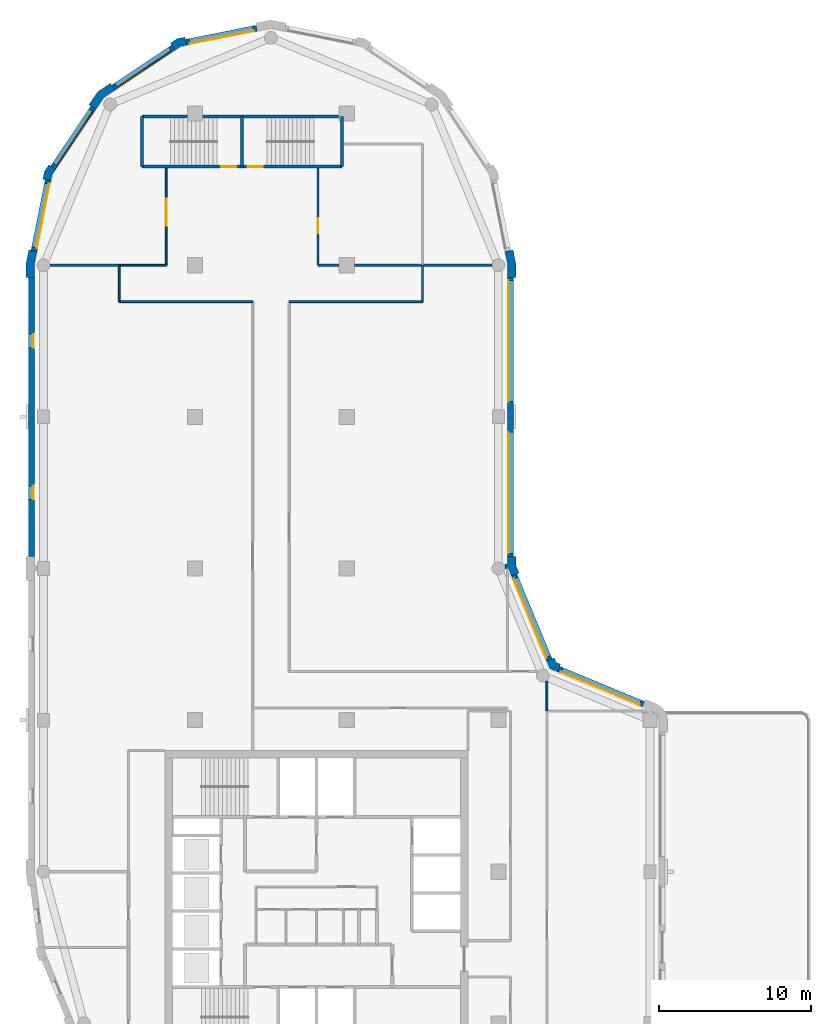
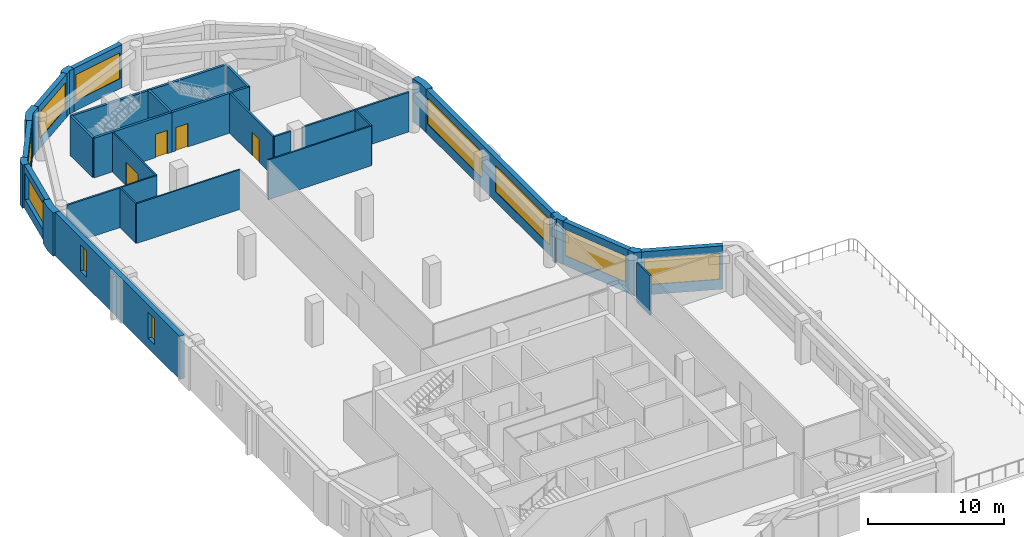
# One storey, part 5 of 8: 33 walls, 10 windows, 4 doors, 14 openings.
"""IFC4 building model written with IfcOpenShell, lengths in metres."""

from ifc_helpers import new_model, si_unit, direction, frame, frame_2d, origin, place, context, subcontext, project, spatial, polyline, rectangle, outline, extrude, material, layer, layer_set, type_object, element, fill, save


model = new_model("IFC4")

# Units and contexts
model_context = context("Model", 3, precision=1e-05, world=origin(), true_north=direction((0.0, 1.0)))
body_context = subcontext(model_context, "Body", "Model", "MODEL_VIEW")
ifc_project = project(units=[si_unit("LENGTHUNIT", "METRE"), si_unit("AREAUNIT", "SQUARE_METRE"), si_unit("VOLUMEUNIT", "CUBIC_METRE"), si_unit("PLANEANGLEUNIT", "RADIAN"), si_unit("MASSUNIT", "GRAM", prefix="KILO")], contexts=[model_context])

# Site, building, storey
site_placement = place(None, origin())
site = spatial("IfcSite", under=ifc_project, at=site_placement, CompositionType="ELEMENT")
building_placement = place(site_placement, origin())
building = spatial("IfcBuilding", under=site, at=building_placement, Name="Qaws Garden Tower", CompositionType="ELEMENT")
storey_placement = place(building_placement, frame((0.0, 0.0, 278.699951171875)))
storey = spatial("IfcBuildingStorey", under=building, at=storey_placement, Name="L67", CompositionType="ELEMENT", Elevation=278.699951171875)

# Wall, opening, window
ifc_material_1 = material(Name="Clay facing brick masonry", Category="masonry")
ifc_layer_1 = layer(ifc_material_1, 0.39990234375)
ifc_layer_set_1 = layer_set([ifc_layer_1], Name="Clay facing brick masonry")
wall_type_1 = type_object("IfcWallType", Name="Brick infill wall 400", PredefinedType="SOLIDWALL", material=ifc_layer_set_1)
wall_1_placement = place(storey_placement, frame((39.56689453125, 31.04541015625, 0.0), z_axis=(0.0, 0.0, 1.0), x_axis=(-0.923891000409, 0.382655745237, 0.0)))
wall_1 = element("IfcWall", 1, at=wall_1_placement, inside=storey, type_object=wall_type_1, Name="E-L67-infill-05", PredefinedType="SOLIDWALL", context=body_context, shape_type="SweptSolid", body=[
    extrude(rectangle(XDim=6.053466796875, YDim=0.39990234375, at=frame_2d((3.02685546875, 0.0))), origin(), (0.0, 0.0, 1.0), 3.900146484375),
])
opening_1_placement = place(wall_1_placement, frame((0.226806640625, 0.0, 0.89990234375)))
opening_1 = element("IfcOpeningElement", 2, at=opening_1_placement, cuts=wall_1, Name="Opening W04", PredefinedType="OPENING", context=body_context, shape_type="SweptSolid", body=[
    extrude(rectangle(XDim=5.60009765625, YDim=2.35009765625, at=frame_2d((2.800048828125, 1.175048828125))), frame((0.0, 0.2099609375, 0.0), z_axis=(0.0, -1.0, 0.0), x_axis=(1.0, 0.0, 0.0)), (0.0, 0.0, 1.0), 0.419921875),
])
ifc_material_2 = material(Name="Aluminium framed window, clear glazing", Category="aluminium")
window_type_1 = type_object("IfcWindowType", Name="Ribbon window 5600 x 2350", PartitioningType="DOUBLE_PANEL_VERTICAL", PredefinedType="WINDOW", material=ifc_material_2)
window_1_placement = place(opening_1_placement, origin())
window_1 = element("IfcWindow", 3, at=window_1_placement, inside=storey, type_object=window_type_1, Name="E-L67-window-05-0", OverallHeight=2.35009765625, OverallWidth=5.60009765625, PartitioningType="SINGLE_PANEL", PredefinedType="WINDOW", context=body_context, shape_type="SweptSolid", body=[
    extrude(rectangle(XDim=5.60009765625, YDim=2.35009765625, at=frame_2d((2.800048828125, 1.175048828125))), frame((0.0, 0.159912109375, 0.0), z_axis=(0.0, -1.0, 0.0), x_axis=(1.0, 0.0, 0.0)), (0.0, 0.0, 1.0), 0.06005859375),
])
fill(opening_1, window_1)

wall_2_placement = place(storey_placement, frame((33.36181640625, 33.97412109375, 0.0), z_axis=(0.0, 0.0, 1.0), x_axis=(-0.382655745237, 0.923891000409, 0.0)))
wall_2 = element("IfcWall", 4, at=wall_2_placement, inside=storey, type_object=wall_type_1, Name="E-L67-infill-06", PredefinedType="SOLIDWALL", context=body_context, shape_type="SweptSolid", body=[
    extrude(rectangle(XDim=6.053466796875, YDim=0.39990234375, at=frame_2d((3.02685546875, 0.0))), origin(), (0.0, 0.0, 1.0), 3.900146484375),
])
opening_2_placement = place(wall_2_placement, frame((0.226806640625, 0.0, 0.89990234375)))
opening_2 = element("IfcOpeningElement", 5, at=opening_2_placement, cuts=wall_2, Name="Opening W04", PredefinedType="OPENING", context=body_context, shape_type="SweptSolid", body=[
    extrude(rectangle(XDim=5.60009765625, YDim=2.35009765625, at=frame_2d((2.800048828125, 1.175048828125))), frame((0.0, 0.2099609375, 0.0), z_axis=(0.0, -1.0, 0.0), x_axis=(1.0, 0.0, 0.0)), (0.0, 0.0, 1.0), 0.419921875),
])
window_2_placement = place(opening_2_placement, origin())
window_2 = element("IfcWindow", 6, at=window_2_placement, inside=storey, type_object=window_type_1, Name="E-L67-window-06-0", OverallHeight=2.35009765625, OverallWidth=5.60009765625, PartitioningType="SINGLE_PANEL", PredefinedType="WINDOW", context=body_context, shape_type="SweptSolid", body=[
    extrude(rectangle(XDim=5.60009765625, YDim=2.35009765625, at=frame_2d((2.800048828125, 1.175048828125))), frame((0.0, 0.159912109375, 0.0), z_axis=(0.0, -1.0, 0.0), x_axis=(1.0, 0.0, 0.0)), (0.0, 0.0, 1.0), 0.06005859375),
])
fill(opening_2, window_2)

# Wall, openings, windows
wall_3_placement = place(storey_placement, frame((30.800048828125, 40.800048828125, 0.0), z_axis=(0.0, 0.0, 1.0), x_axis=(0.0, 1.0, 0.0)))
wall_3 = element("IfcWall", 7, at=wall_3_placement, inside=storey, type_object=wall_type_1, Name="E-L67-infill-07", PredefinedType="SOLIDWALL", context=body_context, shape_type="SweptSolid", body=[
    extrude(rectangle(XDim=18.39990234375, YDim=0.39990234375, at=frame_2d((9.199951171875, 0.0))), origin(), (0.0, 0.0, 1.0), 3.900146484375),
])
opening_3_placement = place(wall_3_placement, frame((0.199951171875, 0.0, 0.89990234375)))
opening_3 = element("IfcOpeningElement", 8, at=opening_3_placement, cuts=wall_3, Name="Opening W01", PredefinedType="OPENING", context=body_context, shape_type="SweptSolid", body=[
    extrude(rectangle(XDim=8.0, YDim=2.35009765625, at=frame_2d((4.0, 1.175048828125))), frame((0.0, 0.2099609375, 0.0), z_axis=(0.0, -1.0, 0.0), x_axis=(1.0, 0.0, 0.0)), (0.0, 0.0, 1.0), 0.419921875),
])
opening_4_placement = place(wall_3_placement, frame((10.199951171875, 0.0, 0.89990234375)))
opening_4 = element("IfcOpeningElement", 9, at=opening_4_placement, cuts=wall_3, Name="Opening W01", PredefinedType="OPENING", context=body_context, shape_type="SweptSolid", body=[
    extrude(rectangle(XDim=8.0, YDim=2.35009765625, at=frame_2d((4.0, 1.175048828125))), frame((0.0, 0.2099609375, 0.0), z_axis=(0.0, -1.0, 0.0), x_axis=(1.0, 0.0, 0.0)), (0.0, 0.0, 1.0), 0.419921875),
])
ifc_material_3 = material(Name="Aluminium framed window, clear glazing", Category="aluminium")
window_type_2 = type_object("IfcWindowType", Name="Ribbon window 8000 x 2350", PartitioningType="DOUBLE_PANEL_VERTICAL", PredefinedType="WINDOW", material=ifc_material_3)
window_3_placement = place(opening_3_placement, origin())
window_3 = element("IfcWindow", 10, at=window_3_placement, inside=storey, type_object=window_type_2, Name="E-L67-window-07-0", OverallHeight=2.35009765625, OverallWidth=8.0, PartitioningType="SINGLE_PANEL", PredefinedType="WINDOW", context=body_context, shape_type="SweptSolid", body=[
    extrude(rectangle(XDim=8.0, YDim=2.35009765625, at=frame_2d((4.0, 1.175048828125))), frame((0.0, 0.159912109375, 0.0), z_axis=(0.0, -1.0, 0.0), x_axis=(1.0, 0.0, 0.0)), (0.0, 0.0, 1.0), 0.06005859375),
])
fill(opening_3, window_3)
window_4_placement = place(opening_4_placement, origin())
window_4 = element("IfcWindow", 11, at=window_4_placement, inside=storey, type_object=window_type_2, Name="E-L67-window-08-0", OverallHeight=2.35009765625, OverallWidth=8.0, PartitioningType="SINGLE_PANEL", PredefinedType="WINDOW", context=body_context, shape_type="SweptSolid", body=[
    extrude(rectangle(XDim=8.0, YDim=2.35009765625, at=frame_2d((4.0, 1.175048828125))), frame((0.0, 0.159912109375, 0.0), z_axis=(0.0, -1.0, 0.0), x_axis=(1.0, 0.0, 0.0)), (0.0, 0.0, 1.0), 0.06005859375),
])
fill(opening_4, window_4)

# Wall, opening, window
wall_4_placement = place(storey_placement, frame((14.059326171875, 75.628662109375, 0.0), z_axis=(0.0, 0.0, 1.0), x_axis=(-0.98078364709, -0.195098533057, 0.0)))
wall_4 = element("IfcWall", 12, at=wall_4_placement, inside=storey, type_object=wall_type_1, Name="E-L67-infill-13", PredefinedType="SOLIDWALL", context=body_context, shape_type="SweptSolid", body=[
    extrude(rectangle(XDim=4.752685546875, YDim=0.39990234375, at=frame_2d((2.37646484375, 0.0))), origin(), (0.0, 0.0, 1.0), 3.900146484375),
])
opening_5_placement = place(wall_4_placement, frame((0.226318359375, 0.0, 0.89990234375)))
opening_5 = element("IfcOpeningElement", 13, at=opening_5_placement, cuts=wall_4, Name="Opening W06", PredefinedType="OPENING", context=body_context, shape_type="SweptSolid", body=[
    extrude(rectangle(XDim=4.300048828125, YDim=2.35009765625, at=frame_2d((2.14990234375, 1.175048828125))), frame((0.0, 0.2099609375, 0.0), z_axis=(0.0, -1.0, 0.0), x_axis=(1.0, 0.0, 0.0)), (0.0, 0.0, 1.0), 0.419921875),
])
ifc_material_4 = material(Name="Aluminium framed window, clear glazing", Category="aluminium")
window_type_3 = type_object("IfcWindowType", Name="Ribbon window 4300 x 2350", PartitioningType="DOUBLE_PANEL_VERTICAL", PredefinedType="WINDOW", material=ifc_material_4)
window_5_placement = place(opening_5_placement, origin())
window_5 = element("IfcWindow", 14, at=window_5_placement, inside=storey, type_object=window_type_3, Name="E-L67-window-13-0", OverallHeight=2.35009765625, OverallWidth=4.300048828125, PartitioningType="SINGLE_PANEL", PredefinedType="WINDOW", context=body_context, shape_type="SweptSolid", body=[
    extrude(rectangle(XDim=4.300048828125, YDim=2.35009765625, at=frame_2d((2.14990234375, 1.175048828125))), frame((0.0, 0.159912109375, 0.0), z_axis=(0.0, -1.0, 0.0), x_axis=(1.0, 0.0, 0.0)), (0.0, 0.0, 1.0), 0.06005859375),
])
fill(opening_5, window_5)

wall_5_placement = place(storey_placement, frame((8.56591796875, 74.356689453125, 0.0), z_axis=(0.0, 0.0, 1.0), x_axis=(-0.831488775454, -0.555541552266, 0.0)))
wall_5 = element("IfcWall", 15, at=wall_5_placement, inside=storey, type_object=wall_type_1, Name="E-L67-infill-14", PredefinedType="SOLIDWALL", context=body_context, shape_type="SweptSolid", body=[
    extrude(rectangle(XDim=4.752685546875, YDim=0.39990234375, at=frame_2d((2.37646484375, 0.0))), origin(), (0.0, 0.0, 1.0), 3.900146484375),
])
opening_6_placement = place(wall_5_placement, frame((0.226318359375, 0.0, 0.89990234375)))
opening_6 = element("IfcOpeningElement", 16, at=opening_6_placement, cuts=wall_5, Name="Opening W06", PredefinedType="OPENING", context=body_context, shape_type="SweptSolid", body=[
    extrude(rectangle(XDim=4.300048828125, YDim=2.35009765625, at=frame_2d((2.14990234375, 1.175048828125))), frame((0.0, 0.2099609375, 0.0), z_axis=(0.0, -1.0, 0.0), x_axis=(1.0, 0.0, 0.0)), (0.0, 0.0, 1.0), 0.419921875),
])
window_6_placement = place(opening_6_placement, origin())
window_6 = element("IfcWindow", 17, at=window_6_placement, inside=storey, type_object=window_type_3, Name="E-L67-window-14-0", OverallHeight=2.35009765625, OverallWidth=4.300048828125, PartitioningType="SINGLE_PANEL", PredefinedType="WINDOW", context=body_context, shape_type="SweptSolid", body=[
    extrude(rectangle(XDim=4.300048828125, YDim=2.35009765625, at=frame_2d((2.14990234375, 1.175048828125))), frame((0.0, 0.159912109375, 0.0), z_axis=(0.0, -1.0, 0.0), x_axis=(1.0, 0.0, 0.0)), (0.0, 0.0, 1.0), 0.06005859375),
])
fill(opening_6, window_6)

wall_6_placement = place(storey_placement, frame((3.28369140625, 70.385986328125, 0.0), z_axis=(0.0, 0.0, 1.0), x_axis=(-0.555541552266, -0.831488775454, 0.0)))
wall_6 = element("IfcWall", 18, at=wall_6_placement, inside=storey, type_object=wall_type_1, Name="E-L67-infill-15", PredefinedType="SOLIDWALL", context=body_context, shape_type="SweptSolid", body=[
    extrude(rectangle(XDim=4.752685546875, YDim=0.39990234375, at=frame_2d((2.37646484375, 0.0))), origin(), (0.0, 0.0, 1.0), 3.900146484375),
])
opening_7_placement = place(wall_6_placement, frame((0.226318359375, 0.0, 0.89990234375)))
opening_7 = element("IfcOpeningElement", 19, at=opening_7_placement, cuts=wall_6, Name="Opening W06", PredefinedType="OPENING", context=body_context, shape_type="SweptSolid", body=[
    extrude(rectangle(XDim=4.300048828125, YDim=2.35009765625, at=frame_2d((2.14990234375, 1.175048828125))), frame((0.0, 0.2099609375, 0.0), z_axis=(0.0, -1.0, 0.0), x_axis=(1.0, 0.0, 0.0)), (0.0, 0.0, 1.0), 0.419921875),
])
window_7_placement = place(opening_7_placement, origin())
window_7 = element("IfcWindow", 20, at=window_7_placement, inside=storey, type_object=window_type_3, Name="E-L67-window-15-0", OverallHeight=2.35009765625, OverallWidth=4.300048828125, PartitioningType="SINGLE_PANEL", PredefinedType="WINDOW", context=body_context, shape_type="SweptSolid", body=[
    extrude(rectangle(XDim=4.300048828125, YDim=2.35009765625, at=frame_2d((2.14990234375, 1.175048828125))), frame((0.0, 0.159912109375, 0.0), z_axis=(0.0, -1.0, 0.0), x_axis=(1.0, 0.0, 0.0)), (0.0, 0.0, 1.0), 0.06005859375),
])
fill(opening_7, window_7)

wall_7_placement = place(storey_placement, frame((0.298583984375, 65.60205078125, 0.0), z_axis=(0.0, 0.0, 1.0), x_axis=(-0.195098533057, -0.98078364709, 0.0)))
wall_7 = element("IfcWall", 21, at=wall_7_placement, inside=storey, type_object=wall_type_1, Name="E-L67-infill-16", PredefinedType="SOLIDWALL", context=body_context, shape_type="SweptSolid", body=[
    extrude(rectangle(XDim=4.752685546875, YDim=0.39990234375, at=frame_2d((2.37646484375, 0.0))), origin(), (0.0, 0.0, 1.0), 3.900146484375),
])
opening_8_placement = place(wall_7_placement, frame((0.226318359375, 0.0, 0.89990234375)))
opening_8 = element("IfcOpeningElement", 22, at=opening_8_placement, cuts=wall_7, Name="Opening W06", PredefinedType="OPENING", context=body_context, shape_type="SweptSolid", body=[
    extrude(rectangle(XDim=4.300048828125, YDim=2.35009765625, at=frame_2d((2.14990234375, 1.175048828125))), frame((0.0, 0.2099609375, 0.0), z_axis=(0.0, -1.0, 0.0), x_axis=(1.0, 0.0, 0.0)), (0.0, 0.0, 1.0), 0.419921875),
])
window_8_placement = place(opening_8_placement, origin())
window_8 = element("IfcWindow", 23, at=window_8_placement, inside=storey, type_object=window_type_3, Name="E-L67-window-16-0", OverallHeight=2.35009765625, OverallWidth=4.300048828125, PartitioningType="SINGLE_PANEL", PredefinedType="WINDOW", context=body_context, shape_type="SweptSolid", body=[
    extrude(rectangle(XDim=4.300048828125, YDim=2.35009765625, at=frame_2d((2.14990234375, 1.175048828125))), frame((0.0, 0.159912109375, 0.0), z_axis=(0.0, -1.0, 0.0), x_axis=(1.0, 0.0, 0.0)), (0.0, 0.0, 1.0), 0.06005859375),
])
fill(opening_8, window_8)

# Wall, openings, windows
wall_8_placement = place(storey_placement, frame((-0.800048828125, 59.199951171875, 0.0), z_axis=(0.0, 0.0, 1.0), x_axis=(0.0, -1.0, 0.0)))
wall_8 = element("IfcWall", 24, at=wall_8_placement, inside=storey, type_object=wall_type_1, Name="E-L67-infill-17", PredefinedType="SOLIDWALL", context=body_context, shape_type="SweptSolid", body=[
    extrude(rectangle(XDim=18.39990234375, YDim=0.39990234375, at=frame_2d((9.199951171875, 0.0))), origin(), (0.0, 0.0, 1.0), 3.900146484375),
])
opening_9_placement = place(wall_8_placement, frame((3.75, 0.0, 0.89990234375)))
opening_9 = element("IfcOpeningElement", 25, at=opening_9_placement, cuts=wall_8, Name="Opening W09", PredefinedType="OPENING", context=body_context, shape_type="SweptSolid", body=[
    extrude(rectangle(XDim=0.89990234375, YDim=2.35009765625, at=frame_2d((0.449951171875, 1.175048828125))), frame((0.0, 0.2099609375, 0.0), z_axis=(0.0, -1.0, 0.0), x_axis=(1.0, 0.0, 0.0)), (0.0, 0.0, 1.0), 0.419921875),
])
opening_10_placement = place(wall_8_placement, frame((13.75, 0.0, 0.89990234375)))
opening_10 = element("IfcOpeningElement", 26, at=opening_10_placement, cuts=wall_8, Name="Opening W09", PredefinedType="OPENING", context=body_context, shape_type="SweptSolid", body=[
    extrude(rectangle(XDim=0.89990234375, YDim=2.35009765625, at=frame_2d((0.449951171875, 1.175048828125))), frame((0.0, 0.2099609375, 0.0), z_axis=(0.0, -1.0, 0.0), x_axis=(1.0, 0.0, 0.0)), (0.0, 0.0, 1.0), 0.419921875),
])
ifc_material_5 = material(Name="Aluminium framed window, clear glazing", Category="aluminium")
window_type_4 = type_object("IfcWindowType", Name="Slit window 900 x 2350", PartitioningType="SINGLE_PANEL", PredefinedType="WINDOW", material=ifc_material_5)
window_9_placement = place(opening_9_placement, origin())
window_9 = element("IfcWindow", 27, at=window_9_placement, inside=storey, type_object=window_type_4, Name="E-L67-window-17-0", OverallHeight=2.35009765625, OverallWidth=0.89990234375, PartitioningType="SINGLE_PANEL", PredefinedType="WINDOW", context=body_context, shape_type="SweptSolid", body=[
    extrude(rectangle(XDim=0.89990234375, YDim=2.35009765625, at=frame_2d((0.449951171875, 1.175048828125))), frame((0.0, 0.159912109375, 0.0), z_axis=(0.0, -1.0, 0.0), x_axis=(1.0, 0.0, 0.0)), (0.0, 0.0, 1.0), 0.06005859375),
])
fill(opening_9, window_9)
window_10_placement = place(opening_10_placement, origin())
window_10 = element("IfcWindow", 28, at=window_10_placement, inside=storey, type_object=window_type_4, Name="E-L67-window-18-0", OverallHeight=2.35009765625, OverallWidth=0.89990234375, PartitioningType="SINGLE_PANEL", PredefinedType="WINDOW", context=body_context, shape_type="SweptSolid", body=[
    extrude(rectangle(XDim=0.89990234375, YDim=2.35009765625, at=frame_2d((0.449951171875, 1.175048828125))), frame((0.0, 0.159912109375, 0.0), z_axis=(0.0, -1.0, 0.0), x_axis=(1.0, 0.0, 0.0)), (0.0, 0.0, 1.0), 0.06005859375),
])
fill(opening_10, window_10)

# Walls
ifc_material_6 = material(Name="Clay facing brick masonry", Category="masonry")
ifc_layer_2 = layer(ifc_material_6, 0.550048828125)
ifc_layer_set_2 = layer_set([ifc_layer_2], Name="Clay facing brick masonry")
wall_type_2 = type_object("IfcWallType", Name="Brick kink pier 550 x 600", PredefinedType="SOLIDWALL", material=ifc_layer_set_2)
placement = place(storey_placement, origin())
element("IfcWall", 29, at=placement, inside=storey, type_object=wall_type_2, Name="E-L67-pier-14", PredefinedType="SOLIDWALL", context=body_context, shape_type="SweptSolid", body=[
    extrude(outline(polyline([(9.35888671875, 74.8974609375), (9.32958984375, 75.044677734375), (8.81103515625, 74.94140625), (8.371337890625, 74.647705078125), (8.454833984375, 74.52294921875), (8.677001953125, 74.1904296875), (9.025634765625, 74.42333984375), (9.43701171875, 74.505126953125), (9.35888671875, 74.8974609375)])), origin(), (0.0, 0.0, 1.0), 3.900146484375),
])
element("IfcWall", 30, at=placement, inside=storey, type_object=wall_type_2, Name="E-L67-pier-16", PredefinedType="SOLIDWALL", context=body_context, shape_type="SweptSolid", body=[
    extrude(outline(polyline([(0.47705078125, 66.545166015625), (0.352294921875, 66.628662109375), (0.05859375, 66.18896484375), (-0.044677734375, 65.67041015625), (0.1025390625, 65.64111328125), (0.494873046875, 65.56298828125), (0.57666015625, 65.974365234375), (0.8095703125, 66.322998046875), (0.47705078125, 66.545166015625)])), origin(), (0.0, 0.0, 1.0), 3.900146484375),
])
ifc_material_7 = material(Name="Clay facing brick masonry", Category="masonry")
ifc_layer_3 = layer(ifc_material_7, 0.550048828125)
ifc_layer_set_3 = layer_set([ifc_layer_3], Name="Clay facing brick masonry")
wall_type_3 = type_object("IfcWallType", Name="Brick pier 550 x 1600", PredefinedType="SOLIDWALL", material=ifc_layer_set_3)
element("IfcWall", 31, at=placement, inside=storey, type_object=wall_type_3, Name="E-L67-pier-06", PredefinedType="SOLIDWALL", context=body_context, shape_type="SweptSolid", body=[
    extrude(outline(polyline([(34.05078125, 33.546630859375), (34.108154296875, 33.685302734375), (33.80908203125, 33.80908203125), (33.685302734375, 34.108154296875), (33.546630859375, 34.05078125), (33.177001953125, 33.897705078125), (33.38818359375, 33.38818359375), (33.897705078125, 33.177001953125), (34.05078125, 33.546630859375)])), origin(), (0.0, 0.0, 1.0), 3.900146484375),
])
element("IfcWall", 32, at=placement, inside=storey, type_object=wall_type_3, Name="E-L67-pier-07", PredefinedType="SOLIDWALL", context=body_context, shape_type="SweptSolid", body=[
    extrude(outline(polyline([(30.6201171875, 39.995361328125), (30.6201171875, 40.071044921875), (30.860595703125, 39.490478515625), (31.22998046875, 39.6435546875), (31.36865234375, 39.700927734375), (31.14990234375, 40.228759765625), (31.14990234375, 40.800048828125), (31.0, 40.800048828125), (30.60009765625, 40.800048828125), (30.60009765625, 40.29541015625), (30.425048828125, 40.29541015625), (30.425048828125, 39.995361328125), (30.6201171875, 39.995361328125)])), origin(), (0.0, 0.0, 1.0), 3.900146484375),
])
element("IfcWall", 33, at=placement, inside=storey, type_object=wall_type_3, Name="E-L67-pier-09", PredefinedType="SOLIDWALL", context=body_context, shape_type="SweptSolid", body=[
    extrude(outline(polyline([(31.0, 59.199951171875), (31.14990234375, 59.199951171875), (31.14990234375, 60.11328125), (30.971923828125, 61.009033203125), (30.82470703125, 60.979736328125), (30.432373046875, 60.901611328125), (30.60009765625, 60.05908203125), (30.60009765625, 59.199951171875), (31.0, 59.199951171875)])), origin(), (0.0, 0.0, 1.0), 3.900146484375),
])
element("IfcWall", 34, at=placement, inside=storey, type_object=wall_type_3, Name="E-L67-pier-15", PredefinedType="SOLIDWALL", context=body_context, shape_type="SweptSolid", body=[
    extrude(outline(polyline([(4.5029296875, 71.882568359375), (4.419677734375, 72.00732421875), (3.564208984375, 71.435791015625), (2.99267578125, 70.580322265625), (3.117431640625, 70.4970703125), (3.449951171875, 70.274658203125), (3.9609375, 71.0390625), (4.725341796875, 71.550048828125), (4.5029296875, 71.882568359375)])), origin(), (0.0, 0.0, 1.0), 3.900146484375),
])
element("IfcWall", 35, at=placement, inside=storey, type_object=wall_type_3, Name="E-L67-pier-17", PredefinedType="SOLIDWALL", context=body_context, shape_type="SweptSolid", body=[
    extrude(outline(polyline([(-0.82470703125, 60.979736328125), (-0.971923828125, 61.009033203125), (-1.14990234375, 60.11328125), (-1.14990234375, 59.199951171875), (-1.0, 59.199951171875), (-0.60009765625, 59.199951171875), (-0.60009765625, 60.05908203125), (-0.432373046875, 60.901611328125), (-0.82470703125, 60.979736328125)])), origin(), (0.0, 0.0, 1.0), 3.900146484375),
])

# Wall, opening, door
ifc_material_8 = material(Name="Concrete C60", Category="concrete")
ifc_layer_4 = layer(ifc_material_8, 0.199951171875)
ifc_layer_set_4 = layer_set([ifc_layer_4], Name="Concrete C60")
wall_type_4 = type_object("IfcWallType", Name="Core shaft wall 200 C60", PredefinedType="SHEAR", material=ifc_layer_set_4)
wall_16_placement = place(storey_placement, frame((6.5, 66.5, 0.0), z_axis=(0.0, 0.0, 1.0), x_axis=(1.0, 0.0, 0.0)))
wall_16 = element("IfcWall", 36, at=wall_16_placement, inside=storey, type_object=wall_type_4, Name="Shaft wall", PredefinedType="SHEAR", context=body_context, shape_type="SweptSolid", body=[
    extrude(rectangle(XDim=6.60009765625, YDim=0.199951171875, at=frame_2d((3.300048828125, 0.0))), origin(), (0.0, 0.0, 1.0), 3.580078125),
])
opening_11_placement = place(wall_16_placement, frame((5.22509765625, 0.0, 0.0)))
opening_11 = element("IfcOpeningElement", 37, at=opening_11_placement, cuts=wall_16, Name="Opening SD13", PredefinedType="OPENING", context=body_context, shape_type="SweptSolid", body=[
    extrude(rectangle(XDim=1.0, YDim=2.10009765625, at=frame_2d((0.5, 1.050048828125))), frame((0.0, 0.10986328125, 0.0), z_axis=(0.0, -1.0, 0.0), x_axis=(1.0, 0.0, 0.0)), (0.0, 0.0, 1.0), 0.219970703125),
])
ifc_material_9 = material(Name="Steel S235", Category="steel")
door_type_1 = type_object("IfcDoorType", Name="Stair door 1000x2100", OperationType="SINGLE_SWING_RIGHT", PredefinedType="DOOR", material=ifc_material_9)
door_1_placement = place(opening_11_placement, origin())
door_1 = element("IfcDoor", 38, at=door_1_placement, inside=storey, type_object=door_type_1, Name="Stair 6 door", OperationType="SINGLE_SWING_RIGHT", OverallHeight=2.10009765625, OverallWidth=1.0, PredefinedType="DOOR", context=body_context, shape_type="SweptSolid", body=[
    extrude(rectangle(XDim=1.0, YDim=2.10009765625, at=frame_2d((0.5, 1.050048828125))), frame((0.0, 0.02490234375, 0.0), z_axis=(0.0, -1.0, 0.0), x_axis=(1.0, 0.0, 0.0)), (0.0, 0.0, 1.0), 0.050048828125),
])
fill(opening_11, door_1)

wall_17_placement = place(storey_placement, frame((13.10009765625, 66.5, 0.0), z_axis=(0.0, 0.0, 1.0), x_axis=(1.0, 0.0, 0.0)))
wall_17 = element("IfcWall", 39, at=wall_17_placement, inside=storey, type_object=wall_type_4, Name="Shaft wall", PredefinedType="SHEAR", context=body_context, shape_type="SweptSolid", body=[
    extrude(rectangle(XDim=6.599853515625, YDim=0.199951171875, at=frame_2d((3.2998046875, 0.0))), origin(), (0.0, 0.0, 1.0), 3.580078125),
])
opening_12_placement = place(wall_17_placement, frame((0.375, 0.0, 0.0)))
opening_12 = element("IfcOpeningElement", 40, at=opening_12_placement, cuts=wall_17, Name="Opening SD14", PredefinedType="OPENING", context=body_context, shape_type="SweptSolid", body=[
    extrude(rectangle(XDim=1.0, YDim=2.10009765625, at=frame_2d((0.5, 1.050048828125))), frame((0.0, 0.10986328125, 0.0), z_axis=(0.0, -1.0, 0.0), x_axis=(1.0, 0.0, 0.0)), (0.0, 0.0, 1.0), 0.219970703125),
])
door_2_placement = place(opening_12_placement, origin())
door_2 = element("IfcDoor", 41, at=door_2_placement, inside=storey, type_object=door_type_1, Name="Stair 7 door", OperationType="SINGLE_SWING_LEFT", OverallHeight=2.10009765625, OverallWidth=1.0, PredefinedType="DOOR", context=body_context, shape_type="SweptSolid", body=[
    extrude(rectangle(XDim=1.0, YDim=2.10009765625, at=frame_2d((0.5, 1.050048828125))), frame((0.0, 0.02490234375, 0.0), z_axis=(0.0, -1.0, 0.0), x_axis=(1.0, 0.0, 0.0)), (0.0, 0.0, 1.0), 0.050048828125),
])
fill(opening_12, door_2)

# Walls
wall_18_placement = place(storey_placement, frame((6.5, 69.800048828125, 0.0), z_axis=(0.0, 0.0, 1.0), x_axis=(1.0, 0.0, 0.0)))
element("IfcWall", 42, at=wall_18_placement, inside=storey, type_object=wall_type_4, Name="Shaft wall", PredefinedType="SHEAR", context=body_context, shape_type="SweptSolid", body=[
    extrude(rectangle(XDim=6.60009765625, YDim=0.199951171875, at=frame_2d((3.300048828125, 0.0))), origin(), (0.0, 0.0, 1.0), 3.580078125),
])
wall_19_placement = place(storey_placement, frame((13.10009765625, 69.800048828125, 0.0), z_axis=(0.0, 0.0, 1.0), x_axis=(1.0, 0.0, 0.0)))
element("IfcWall", 43, at=wall_19_placement, inside=storey, type_object=wall_type_4, Name="Shaft wall", PredefinedType="SHEAR", context=body_context, shape_type="SweptSolid", body=[
    extrude(rectangle(XDim=6.599853515625, YDim=0.199951171875, at=frame_2d((3.2998046875, 0.0))), origin(), (0.0, 0.0, 1.0), 3.580078125),
])
for number, where, z_axis, x_axis, name in (
    (44, (6.5, 66.5, 0.0), (0.0, 0.0, 1.0), (0.0, 1.0, 0.0), "Shaft wall"),
    (45, (13.10009765625, 66.5, 0.0), (0.0, 0.0, 1.0), (0.0, 1.0, 0.0), "Shaft wall"),
    (46, (19.699951171875, 66.5, 0.0), (0.0, 0.0, 1.0), (0.0, 1.0, 0.0), "Shaft wall"),
):
    element("IfcWall", number, at=place(storey_placement, frame(where, z_axis=z_axis, x_axis=x_axis)), inside=storey, type_object=wall_type_4, Name=name, PredefinedType="SHEAR", context=body_context, shape_type="SweptSolid", body=[
        extrude(rectangle(XDim=3.300048828125, YDim=0.199951171875, at=frame_2d((1.64990234375, 0.0))), origin(), (0.0, 0.0, 1.0), 3.580078125),
    ])
ifc_material_10 = material(Name="Glass and aluminium framing", Category="aluminium")
ifc_layer_5 = layer(ifc_material_10, 0.1201171875)
ifc_layer_set_5 = layer_set([ifc_layer_5], Name="Glass and aluminium framing")
wall_type_5 = type_object("IfcWallType", Name="GLAZED PARTITION 120 EI 30", PredefinedType="PARTITIONING", material=ifc_layer_set_5)
wall_20_placement = place(storey_placement, frame((5.0, 57.60009765625, 0.0), z_axis=(0.0, 0.0, 1.0), x_axis=(0.0, 1.0, 0.0)))
element("IfcWall", 47, at=wall_20_placement, inside=storey, type_object=wall_type_5, Name="O-L67-wall-027", PredefinedType="PARTITIONING", context=body_context, shape_type="SweptSolid", body=[
    extrude(rectangle(XDim=2.39990234375, YDim=0.1201171875, at=frame_2d((1.199951171875, 0.0))), origin(), (0.0, 0.0, 1.0), 3.580078125),
])

# Wall, opening, door
wall_21_placement = place(storey_placement, frame((8.10009765625, 60.0, 0.0), z_axis=(0.0, 0.0, 1.0), x_axis=(0.0, 1.0, 0.0)))
wall_21 = element("IfcWall", 48, at=wall_21_placement, inside=storey, type_object=wall_type_5, Name="O-L67-wall-029", PredefinedType="PARTITIONING", context=body_context, shape_type="SweptSolid", body=[
    extrude(rectangle(XDim=6.39990234375, YDim=0.1201171875, at=frame_2d((3.199951171875, 0.0))), origin(), (0.0, 0.0, 1.0), 3.580078125),
])
opening_13_placement = place(wall_21_placement, frame((2.60009765625, 0.0, 0.0)))
opening_13 = element("IfcOpeningElement", 49, at=opening_13_placement, cuts=wall_21, Name="Opening C413", PredefinedType="OPENING", context=body_context, shape_type="SweptSolid", body=[
    extrude(rectangle(XDim=1.800048828125, YDim=2.10009765625, at=frame_2d((0.89990234375, 1.050048828125))), frame((0.0, 0.070068359375, 0.0), z_axis=(0.0, -1.0, 0.0), x_axis=(1.0, 0.0, 0.0)), (0.0, 0.0, 1.0), 0.14013671875),
])
ifc_material_11 = material(Name="Timber door leaf", Category="wood")
door_type_2 = type_object("IfcDoorType", Name="DOUBLE DOOR 1800 X 2100", OperationType="DOUBLE_DOOR_SINGLE_SWING", PredefinedType="DOOR", material=ifc_material_11)
door_3_placement = place(opening_13_placement, origin())
door_3 = element("IfcDoor", 50, at=door_3_placement, inside=storey, type_object=door_type_2, Name="O-L67-door-013", OperationType="DOUBLE_DOOR_SINGLE_SWING", OverallHeight=2.10009765625, OverallWidth=1.800048828125, PredefinedType="DOOR", context=body_context, shape_type="SweptSolid", body=[
    extrude(rectangle(XDim=1.800048828125, YDim=2.10009765625, at=frame_2d((0.89990234375, 1.050048828125))), frame((0.0, 0.02490234375, 0.0), z_axis=(0.0, -1.0, 0.0), x_axis=(1.0, 0.0, 0.0)), (0.0, 0.0, 1.0), 0.050048828125),
])
fill(opening_13, door_3)

# Walls
wall_22_placement = place(storey_placement, frame((25.0, 57.60009765625, 0.0), z_axis=(0.0, 0.0, 1.0), x_axis=(0.0, 1.0, 0.0)))
element("IfcWall", 51, at=wall_22_placement, inside=storey, type_object=wall_type_5, Name="O-L67-wall-032", PredefinedType="PARTITIONING", context=body_context, shape_type="SweptSolid", body=[
    extrude(rectangle(XDim=2.39990234375, YDim=0.1201171875, at=frame_2d((1.199951171875, 0.0))), origin(), (0.0, 0.0, 1.0), 3.580078125),
])
wall_23_placement = place(storey_placement, frame((33.199951171875, 30.60009765625, 0.0), z_axis=(0.0, 0.0, 1.0), x_axis=(0.0, 1.0, 0.0)))
element("IfcWall", 52, at=wall_23_placement, inside=storey, type_object=wall_type_5, Name="O-L67-wall-033", PredefinedType="PARTITIONING", context=body_context, shape_type="SweptSolid", body=[
    extrude(rectangle(XDim=1.9599609375, YDim=0.1201171875, at=frame_2d((0.97998046875, 0.0))), origin(), (0.0, 0.0, 1.0), 3.580078125),
])
for number, where, z_axis, x_axis, name in (
    (53, (5.0, 57.60009765625, 0.0), (0.0, 0.0, 1.0), (1.0, 0.0, 0.0), "O-L67-wall-038"),
    (54, (16.199951171875, 57.60009765625, 0.0), (0.0, 0.0, 1.0), (1.0, 0.0, 0.0), "O-L67-wall-039"),
):
    element("IfcWall", number, at=place(storey_placement, frame(where, z_axis=z_axis, x_axis=x_axis)), inside=storey, type_object=wall_type_5, Name=name, PredefinedType="PARTITIONING", context=body_context, shape_type="SweptSolid", body=[
        extrude(rectangle(XDim=8.800048828125, YDim=0.1201171875, at=frame_2d((4.39990234375, 0.0))), origin(), (0.0, 0.0, 1.0), 3.580078125),
    ])
wall_24_placement = place(storey_placement, frame((5.0, 60.0, 0.0), z_axis=(0.0, 0.0, 1.0), x_axis=(1.0, 0.0, 0.0)))
element("IfcWall", 55, at=wall_24_placement, inside=storey, type_object=wall_type_5, Name="O-L67-wall-040", PredefinedType="PARTITIONING", context=body_context, shape_type="SweptSolid", body=[
    extrude(rectangle(XDim=3.10009765625, YDim=0.1201171875, at=frame_2d((1.550048828125, 0.0))), origin(), (0.0, 0.0, 1.0), 3.580078125),
])

# Wall, opening, door
ifc_material_12 = material(Name="Gypsum board partition")
ifc_layer_6 = layer(ifc_material_12, 0.14990234375)
ifc_layer_set_6 = layer_set([ifc_layer_6], Name="Gypsum board partition")
wall_type_6 = type_object("IfcWallType", Name="PARTITION 150 EI 60", PredefinedType="PARTITIONING", material=ifc_layer_set_6)
wall_25_placement = place(storey_placement, frame((18.10009765625, 60.0, 0.0), z_axis=(0.0, 0.0, 1.0), x_axis=(0.0, 1.0, 0.0)))
wall_25 = element("IfcWall", 56, at=wall_25_placement, inside=storey, type_object=wall_type_6, Name="O-L67-wall-004", PredefinedType="PARTITIONING", context=body_context, shape_type="SweptSolid", body=[
    extrude(rectangle(XDim=6.39990234375, YDim=0.14990234375, at=frame_2d((3.199951171875, 0.0))), origin(), (0.0, 0.0, 1.0), 3.580078125),
])
opening_14_placement = place(wall_25_placement, frame((2.10009765625, 0.0, 0.0)))
opening_14 = element("IfcOpeningElement", 57, at=opening_14_placement, cuts=wall_25, Name="Opening C403", PredefinedType="OPENING", context=body_context, shape_type="SweptSolid", body=[
    extrude(rectangle(XDim=1.0, YDim=2.10009765625, at=frame_2d((0.5, 1.050048828125))), frame((0.0, 0.0849609375, 0.0), z_axis=(0.0, -1.0, 0.0), x_axis=(1.0, 0.0, 0.0)), (0.0, 0.0, 1.0), 0.169921875),
])
ifc_material_13 = material(Name="Timber door leaf", Category="wood")
door_type_3 = type_object("IfcDoorType", Name="TENANCY ENTRANCE DOOR 1000 X 2100", OperationType="SINGLE_SWING_LEFT", PredefinedType="DOOR", material=ifc_material_13)
door_4_placement = place(opening_14_placement, frame((1.0, 0.0, 0.0), z_axis=(0.0, 0.0, 1.0), x_axis=(-1.0, 0.0, 0.0)))
door_4 = element("IfcDoor", 58, at=door_4_placement, inside=storey, type_object=door_type_3, Name="O-L67-door-003", OperationType="SINGLE_SWING_RIGHT", OverallHeight=2.10009765625, OverallWidth=1.0, PredefinedType="DOOR", context=body_context, shape_type="SweptSolid", body=[
    extrude(rectangle(XDim=1.0, YDim=2.10009765625, at=frame_2d((0.5, 1.050048828125))), frame((0.0, 0.02490234375, 0.0), z_axis=(0.0, -1.0, 0.0), x_axis=(1.0, 0.0, 0.0)), (0.0, 0.0, 1.0), 0.050048828125),
])
fill(opening_14, door_4)

# Walls
wall_26_placement = place(storey_placement, frame((0.425048828125, 60.0, 0.0), z_axis=(0.0, 0.0, 1.0), x_axis=(1.0, 0.0, 0.0)))
element("IfcWall", 59, at=wall_26_placement, inside=storey, type_object=wall_type_6, Name="O-L67-wall-023", PredefinedType="PARTITIONING", context=body_context, shape_type="SweptSolid", body=[
    extrude(rectangle(XDim=4.574951171875, YDim=0.14990234375, at=frame_2d((2.28759765625, 0.0))), origin(), (0.0, 0.0, 1.0), 3.580078125),
])
wall_27_placement = place(storey_placement, frame((18.10009765625, 60.0, 0.0), z_axis=(0.0, 0.0, 1.0), x_axis=(1.0, 0.0, 0.0)))
element("IfcWall", 60, at=wall_27_placement, inside=storey, type_object=wall_type_6, Name="O-L67-wall-024", PredefinedType="PARTITIONING", context=body_context, shape_type="SweptSolid", body=[
    extrude(rectangle(XDim=1.39990234375, YDim=0.14990234375, at=frame_2d((0.699951171875, 0.0))), origin(), (0.0, 0.0, 1.0), 3.580078125),
])
wall_28_placement = place(storey_placement, frame((20.5, 60.0, 0.0), z_axis=(0.0, 0.0, 1.0), x_axis=(1.0, 0.0, 0.0)))
element("IfcWall", 61, at=wall_28_placement, inside=storey, type_object=wall_type_6, Name="O-L67-wall-025", PredefinedType="PARTITIONING", context=body_context, shape_type="SweptSolid", body=[
    extrude(rectangle(XDim=9.074951171875, YDim=0.14990234375, at=frame_2d((4.53759765625, 0.0))), origin(), (0.0, 0.0, 1.0), 3.580078125),
])

save(model, "model.ifc")
